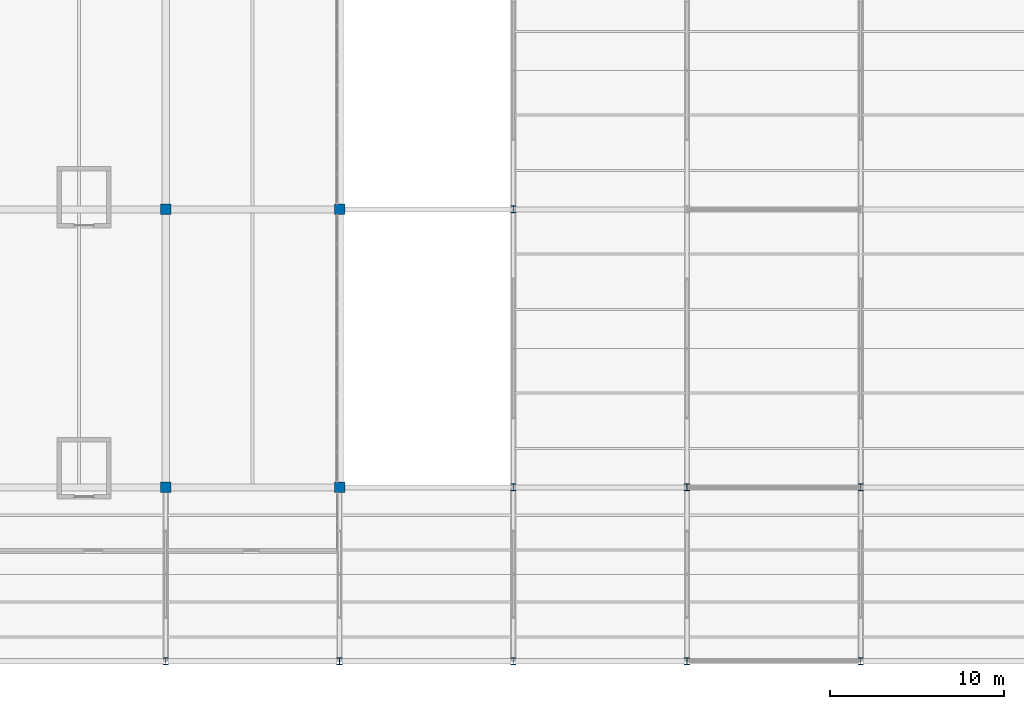
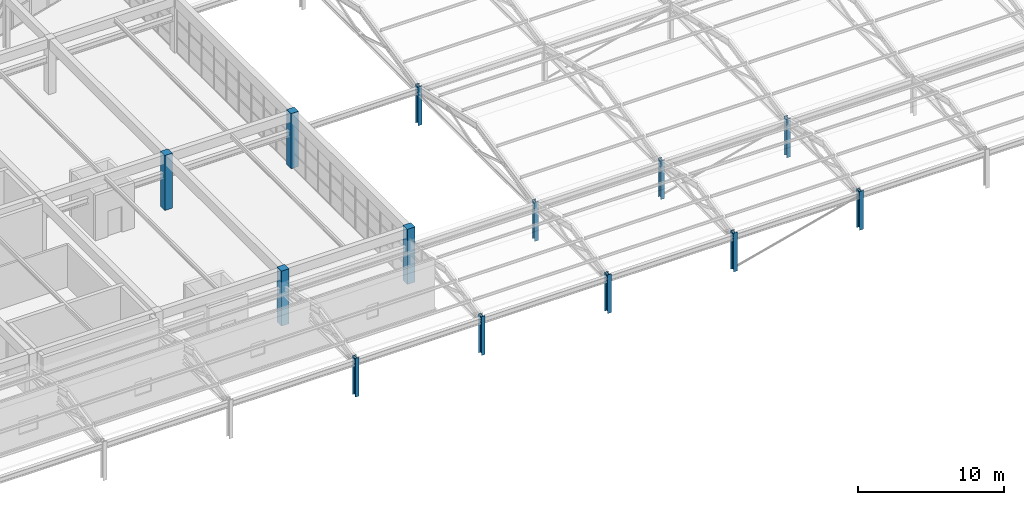
# One storey, part 5 of 109: 13 columns.
"""IFC4 building model written with IfcOpenShell, lengths in metres."""

from ifc_helpers import new_model, si_unit, direction, frame, origin, origin_2d, place, context, subcontext, project, spatial, rectangle, i_section, extrude, material, material_profile, profile_set, type_object, element, save


model = new_model("IFC4")

# Units and contexts
model_context = context("Model", 3, precision=1e-05, world=origin(), true_north=direction((0.0, 1.0)))
body_context = subcontext(model_context, "Body", "Model", "MODEL_VIEW")
ifc_project = project(units=[si_unit("LENGTHUNIT", "METRE"), si_unit("AREAUNIT", "SQUARE_METRE"), si_unit("VOLUMEUNIT", "CUBIC_METRE"), si_unit("PLANEANGLEUNIT", "RADIAN"), si_unit("MASSUNIT", "GRAM", prefix="KILO")], contexts=[model_context])

# Site, building, storey
site_placement = place(None, origin())
site = spatial("IfcSite", under=ifc_project, at=site_placement, CompositionType="ELEMENT")
building_placement = place(site_placement, origin())
building = spatial("IfcBuilding", under=site, at=building_placement, Name="Kivolera Central Railway Station", CompositionType="ELEMENT")
storey_placement = place(building_placement, frame((0.0, 0.0, 9.60009765625)))
storey = spatial("IfcBuildingStorey", under=building, at=storey_placement, Name="L02", CompositionType="ELEMENT", Elevation=9.60009765625)

# Columns
ifc_material_1 = material(Name="Concrete C40/50", Category="concrete")
ifc_material_profile_1 = material_profile(ifc_material_1, rectangle(XDim=0.60009765625, YDim=0.60009765625, at=origin_2d()), Name="RC 600x600")
ifc_profile_set_1 = profile_set([ifc_material_profile_1], Name="Concrete C40/50")
column_type_1 = type_object("IfcColumnType", Name="COL-RC-600", PredefinedType="COLUMN", material=ifc_profile_set_1)
for number, where, z_axis, x_axis, name in (
    (1, (78.0, 16.0, 0.0), (0.0, 0.0, 1.0), (1.0, 0.0, 0.0), "L02 Train Shed Upper Mast 8-B"),
    (2, (78.0, 32.0, 0.0), (0.0, 0.0, 1.0), (1.0, 0.0, 0.0), "L02 Train Shed Upper Mast 8-C"),
    (3, (88.0, 16.0, 0.0), (0.0, 0.0, 1.0), (1.0, 0.0, 0.0), "L02 Train Shed Upper Mast 9-B"),
    (4, (88.0, 32.0, 0.0), (0.0, 0.0, 1.0), (1.0, 0.0, 0.0), "L02 Train Shed Upper Mast 9-C"),
):
    element("IfcColumn", number, at=place(storey_placement, frame(where, z_axis=z_axis, x_axis=x_axis)), inside=storey, type_object=column_type_1, Name=name, PredefinedType="COLUMN", context=body_context, shape_type="SweptSolid", body=[
        extrude(rectangle(XDim=0.60009765625, YDim=0.60009765625, at=origin_2d()), origin(), (0.0, 0.0, 1.0), 4.619873046875),
    ])
ifc_material_2 = material(Name="Steel S355", Category="steel")
ifc_material_profile_2 = material_profile(ifc_material_2, i_section(OverallWidth=0.300048828125, OverallDepth=0.39990234375, WebThickness=0.013427734375, FlangeThickness=0.02392578125, FilletRadius=0.027099609375, at=origin_2d()), Name="HEB 400")
ifc_profile_set_2 = profile_set([ifc_material_profile_2], Name="Steel S355")
column_type_2 = type_object("IfcColumnType", Name="COL-STL-HEB400", PredefinedType="COLUMN", material=ifc_profile_set_2)
for number, where, z_axis, x_axis, name in (
    (5, (78.0, 6.0, 0.0), (0.0, 0.0, 1.0), (1.0, 0.0, 0.0), "L02 Train Shed Upper Mast 8-A"),
    (6, (88.0, 6.0, 0.0), (0.0, 0.0, 1.0), (1.0, 0.0, 0.0), "L02 Train Shed Upper Mast 9-A"),
    (7, (98.0, 6.0, 0.0), (0.0, 0.0, 1.0), (1.0, 0.0, 0.0), "L02 Train Shed Upper Mast 10-A"),
    (8, (98.0, 16.0, 0.0), (0.0, 0.0, 1.0), (1.0, 0.0, 0.0), "L02 Train Shed Upper Mast 10-B"),
    (9, (98.0, 32.0, 0.0), (0.0, 0.0, 1.0), (1.0, 0.0, 0.0), "L02 Train Shed Upper Mast 10-C"),
    (10, (108.0, 6.0, 0.0), (0.0, 0.0, 1.0), (1.0, 0.0, 0.0), "L02 Train Shed Upper Mast 11-A"),
    (11, (108.0, 16.0, 0.0), (0.0, 0.0, 1.0), (1.0, 0.0, 0.0), "L02 Train Shed Upper Mast 11-B"),
    (12, (118.0, 6.0, 0.0), (0.0, 0.0, 1.0), (1.0, 0.0, 0.0), "L02 Train Shed Upper Mast 12-A"),
    (13, (118.0, 16.0, 0.0), (0.0, 0.0, 1.0), (1.0, 0.0, 0.0), "L02 Train Shed Upper Mast 12-B"),
):
    element("IfcColumn", number, at=place(storey_placement, frame(where, z_axis=z_axis, x_axis=x_axis)), inside=storey, type_object=column_type_2, Name=name, PredefinedType="COLUMN", context=body_context, shape_type="SweptSolid", body=[
        extrude(i_section(OverallWidth=0.300048828125, OverallDepth=0.39990234375, WebThickness=0.013427734375, FlangeThickness=0.02392578125, FilletRadius=0.027099609375, at=origin_2d()), origin(), (0.0, 0.0, 1.0), 3.25),
    ])

save(model, "model.ifc")
